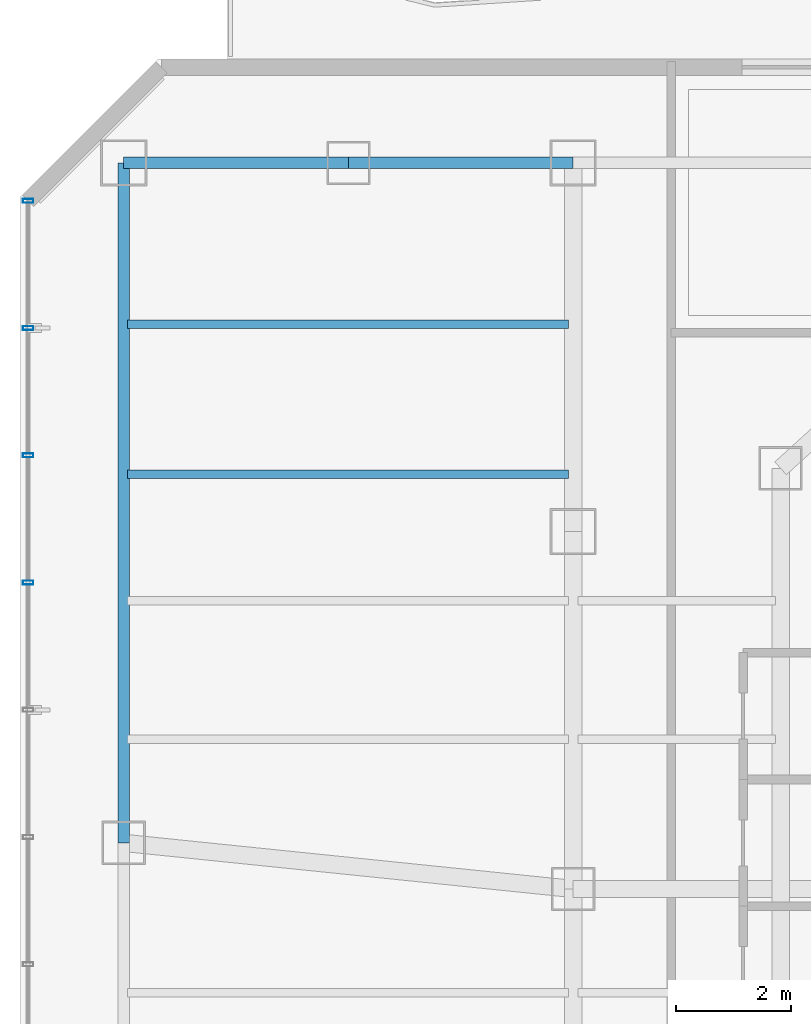
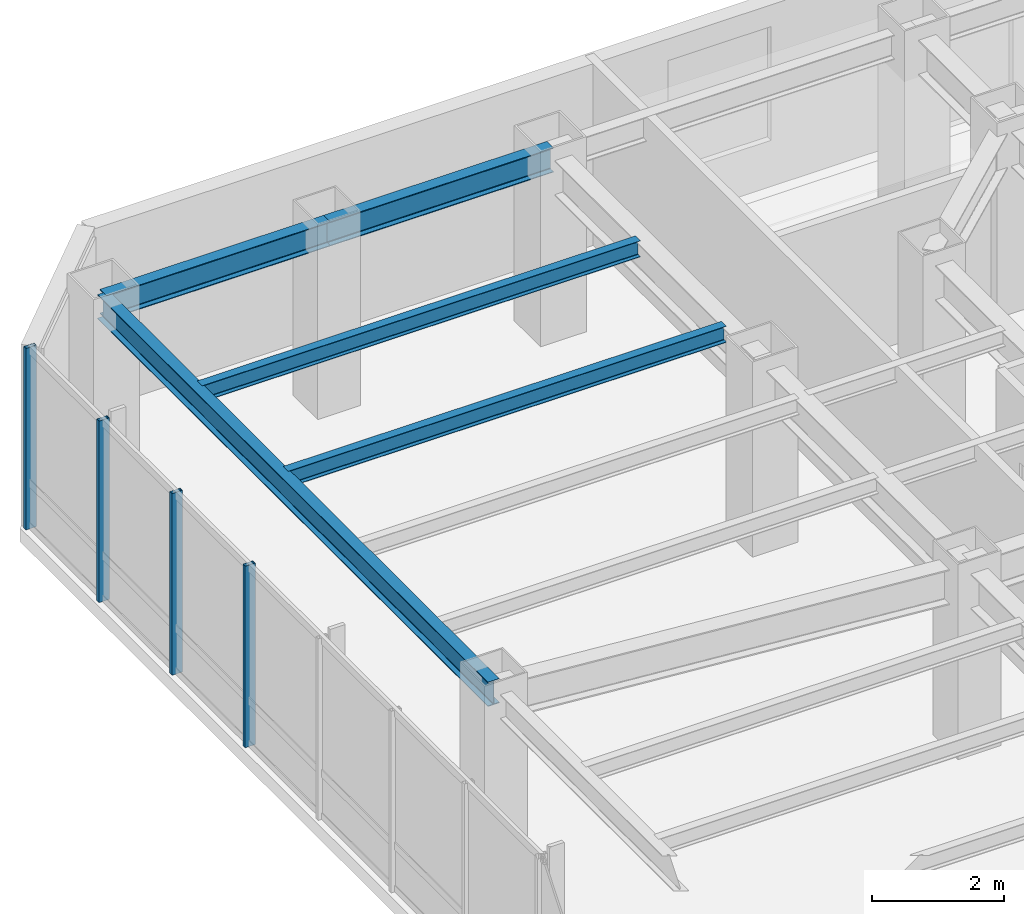
# One storey, part 17 of 28: 5 beams, 4 members, 1 element without a shape of its own.
"""IFC4 building model written with IfcOpenShell, lengths in metres."""

from ifc_helpers import new_model, si_unit, direction, frame, origin, origin_2d, place, context, subcontext, project, spatial, hollow_rectangle, i_section, extrude, material, layer, layer_set, material_profile, profile_set, type_object, element, aggregate, save


model = new_model("IFC4")

# Units and contexts
model_context = context("Model", 3, precision=1e-05, world=origin(), true_north=direction((0.0, 1.0)))
body_context = subcontext(model_context, "Body", "Model", "MODEL_VIEW")
ifc_project = project(units=[si_unit("LENGTHUNIT", "METRE"), si_unit("AREAUNIT", "SQUARE_METRE"), si_unit("VOLUMEUNIT", "CUBIC_METRE"), si_unit("PLANEANGLEUNIT", "RADIAN"), si_unit("MASSUNIT", "GRAM", prefix="KILO")], contexts=[model_context])

# Site, building, storey
site_placement = place(None, origin())
site = spatial("IfcSite", under=ifc_project, at=site_placement, CompositionType="ELEMENT")
building_placement = place(site_placement, origin())
building = spatial("IfcBuilding", under=site, at=building_placement, Name="Hatsunagi Terrace Concourse", CompositionType="ELEMENT")
storey_placement = place(building_placement, frame((0.0, 0.0, 170.85009765625)))
storey = spatial("IfcBuildingStorey", under=building, at=storey_placement, Name="L45", CompositionType="ELEMENT", Elevation=170.85009765625)

# Curtain wall, members
ifc_material_1 = material(Name="Anodised Aluminium Alloy 6063-T5", Category="aluminium")
ifc_layer = layer(ifc_material_1, 0.199951171875)
ifc_layer_set = layer_set([ifc_layer], Name="OfficeZone1_CW03")
curtain_wall_type = type_object("IfcCurtainWallType", Name="OfficeZone1_CW03", PredefinedType="NOTDEFINED", material=ifc_layer_set)
curtain_wall_placement = place(storey_placement, origin())
curtain_wall = element("IfcCurtainWall", 1, at=curtain_wall_placement, inside=storey, type_object=curtain_wall_type, Name="Unitised Curtain Wall CW-03 CW-L45-09", PredefinedType="NOTDEFINED")
ifc_material_2 = material(Name="Anodised Aluminium Alloy 6063-T5", Category="aluminium")
ifc_material_profile_1 = material_profile(ifc_material_2, hollow_rectangle(XDim=0.070068359375, YDim=0.179931640625, WallThickness=0.00390625, at=origin_2d()), Name="ALU-MUL-180x70x4")
ifc_profile_set_1 = profile_set([ifc_material_profile_1], Name="Anodised Aluminium Alloy 6063-T5")
member_type = type_object("IfcMemberType", Name="CurtainWallMullion_180x70", PredefinedType="MULLION", material=ifc_profile_set_1)
member_1_placement = place(storey_placement, frame((9.739990234375, 41.31689453125, 0.0), z_axis=(0.0, 0.0, 1.0), x_axis=(0.0, 1.0, 0.0)))
member_1 = element("IfcMember", 2, at=member_1_placement, type_object=member_type, Name="Curtain Wall Mullion MUL-02", PredefinedType="MULLION", context=body_context, shape_type="SweptSolid", body=[
    extrude(hollow_rectangle(XDim=0.070068359375, YDim=0.179931640625, WallThickness=0.00390625, at=origin_2d()), origin(), (0.0, 0.0, 1.0), 3.349853515625),
])
member_2_placement = place(storey_placement, frame((9.739990234375, 43.52490234375, 0.0), z_axis=(0.0, 0.0, 1.0), x_axis=(0.0, 1.0, 0.0)))
member_2 = element("IfcMember", 3, at=member_2_placement, type_object=member_type, Name="Curtain Wall Mullion MUL-02", PredefinedType="MULLION", context=body_context, shape_type="SweptSolid", body=[
    extrude(hollow_rectangle(XDim=0.070068359375, YDim=0.179931640625, WallThickness=0.00390625, at=origin_2d()), origin(), (0.0, 0.0, 1.0), 3.349853515625),
])
member_3_placement = place(storey_placement, frame((9.739990234375, 45.73388671875, 0.0), z_axis=(0.0, 0.0, 1.0), x_axis=(0.0, 1.0, 0.0)))
member_3 = element("IfcMember", 4, at=member_3_placement, type_object=member_type, Name="Curtain Wall Mullion MUL-02", PredefinedType="MULLION", context=body_context, shape_type="SweptSolid", body=[
    extrude(hollow_rectangle(XDim=0.070068359375, YDim=0.179931640625, WallThickness=0.00390625, at=origin_2d()), origin(), (0.0, 0.0, 1.0), 3.349853515625),
])
member_4_placement = place(storey_placement, frame((9.739990234375, 47.94189453125, 0.0), z_axis=(0.0, 0.0, 1.0), x_axis=(0.0, 1.0, 0.0)))
member_4 = element("IfcMember", 5, at=member_4_placement, type_object=member_type, Name="Curtain Wall Mullion MUL-02", PredefinedType="MULLION", context=body_context, shape_type="SweptSolid", body=[
    extrude(hollow_rectangle(XDim=0.070068359375, YDim=0.179931640625, WallThickness=0.00390625, at=origin_2d()), origin(), (0.0, 0.0, 1.0), 3.349853515625),
])
aggregate(curtain_wall, [member_1, member_2, member_3, member_4])

# Beams
ifc_material_3 = material(Name="Steel SN490B", Category="steel")
ifc_material_profile_2 = material_profile(ifc_material_3, i_section(OverallWidth=0.14990234375, OverallDepth=0.300048828125, WebThickness=0.006591796875, FlangeThickness=0.009033203125, FilletRadius=0.010986328125, at=origin_2d()), Name="H-300x150x6.5x9")
ifc_profile_set_2 = profile_set([ifc_material_profile_2], Name="Steel SN490B")
beam_type_1 = type_object("IfcBeamType", Name="OfficeJoist_H_300x150", PredefinedType="JOIST", material=ifc_profile_set_2)
for number, where, z_axis, x_axis, name in (
    (6, (11.465087890625, 43.199951171875, 3.199951171875), (1.0, 0.0, 0.0), (0.0, 1.0, 0.0), "Beam J-03 J-L45-W-11-432"),
    (7, (11.465087890625, 45.800048828125, 3.199951171875), (1.0, 0.0, 0.0), (0.0, 1.0, 0.0), "Beam J-03 J-L45-W-11-458"),
):
    element("IfcBeam", number, at=place(storey_placement, frame(where, z_axis=z_axis, x_axis=x_axis)), inside=storey, type_object=beam_type_1, Name=name, PredefinedType="JOIST", context=body_context, shape_type="SweptSolid", body=[
        extrude(i_section(OverallWidth=0.14990234375, OverallDepth=0.300048828125, WebThickness=0.006591796875, FlangeThickness=0.009033203125, FilletRadius=0.010986328125, at=origin_2d()), origin(), (0.0, 0.0, 1.0), 7.64990234375),
    ])
ifc_material_4 = material(Name="Steel SN490B", Category="steel")
ifc_material_profile_3 = material_profile(ifc_material_4, i_section(OverallWidth=0.199951171875, OverallDepth=0.449951171875, WebThickness=0.009033203125, FlangeThickness=0.013916015625, FilletRadius=0.01611328125, at=origin_2d()), Name="H-450x200x9x14")
ifc_profile_set_3 = profile_set([ifc_material_profile_3], Name="Steel SN490B")
beam_type_2 = type_object("IfcBeamType", Name="PerimeterSpandrel_H_450x200", PredefinedType="SPANDREL", material=ifc_profile_set_3)
beam_1_placement = place(storey_placement, frame((11.39990234375, 48.60009765625, 3.125), z_axis=(1.0, 0.0, 0.0), x_axis=(0.0, 1.0, 0.0)))
element("IfcBeam", 8, at=beam_1_placement, inside=storey, type_object=beam_type_2, Name="Beam SP-02 BM-L45-WN-11", PredefinedType="SPANDREL", context=body_context, shape_type="SweptSolid", body=[
    extrude(i_section(OverallWidth=0.199951171875, OverallDepth=0.449951171875, WebThickness=0.009033203125, FlangeThickness=0.013916015625, FilletRadius=0.01611328125, at=origin_2d()), origin(), (0.0, 0.0, 1.0), 3.900146484375),
])
beam_2_placement = place(storey_placement, frame((15.300048828125, 48.60009765625, 3.125), z_axis=(1.0, 0.0, 0.0), x_axis=(0.0, 1.0, 0.0)))
element("IfcBeam", 9, at=beam_2_placement, inside=storey, type_object=beam_type_2, Name="Beam SP-02 BM-L45-WN-15", PredefinedType="SPANDREL", context=body_context, shape_type="SweptSolid", body=[
    extrude(i_section(OverallWidth=0.199951171875, OverallDepth=0.449951171875, WebThickness=0.009033203125, FlangeThickness=0.013916015625, FilletRadius=0.01611328125, at=origin_2d()), origin(), (0.0, 0.0, 1.0), 3.89990234375),
])
beam_3_placement = place(storey_placement, frame((11.39990234375, 36.800048828125, 3.125), z_axis=(0.0, 1.0, 0.0), x_axis=(-1.0, 0.0, 0.0)))
element("IfcBeam", 10, at=beam_3_placement, inside=storey, type_object=beam_type_2, Name="Beam SP-02 BM-L45-NS-11-36", PredefinedType="SPANDREL", context=body_context, shape_type="SweptSolid", body=[
    extrude(i_section(OverallWidth=0.199951171875, OverallDepth=0.449951171875, WebThickness=0.009033203125, FlangeThickness=0.013916015625, FilletRadius=0.01611328125, at=origin_2d()), origin(), (0.0, 0.0, 1.0), 11.800048828125),
])

save(model, "model.ifc")
